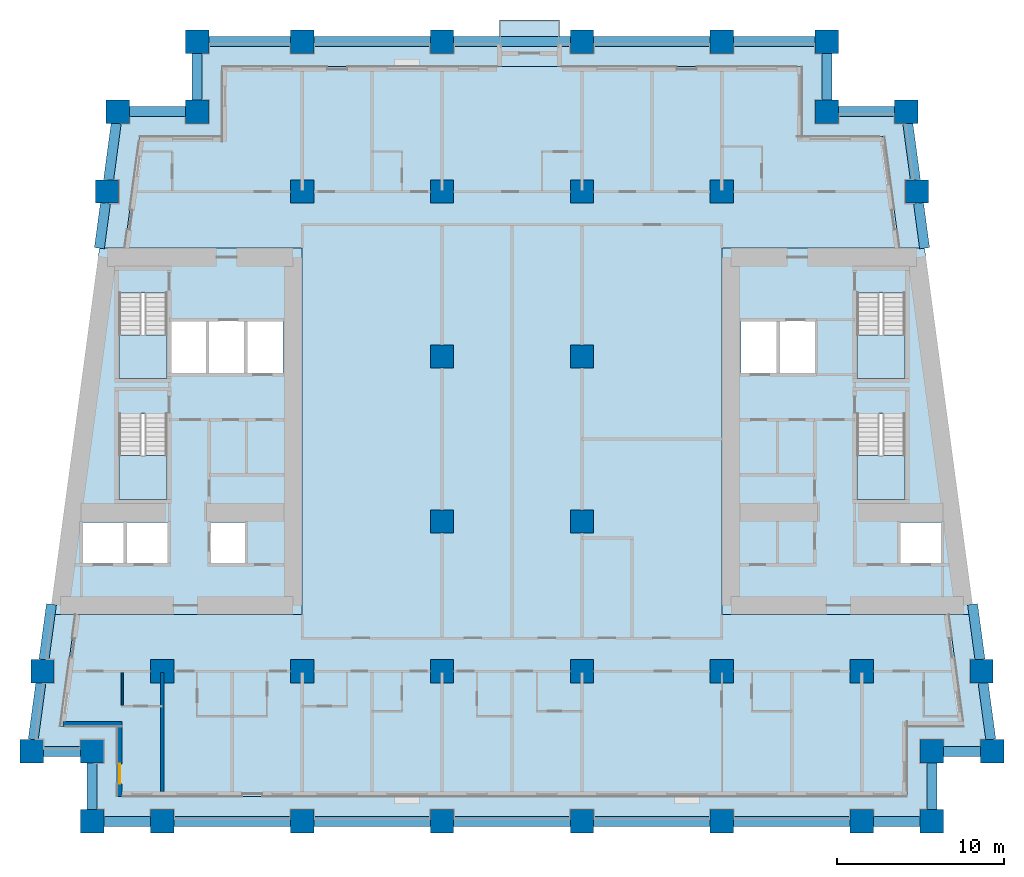
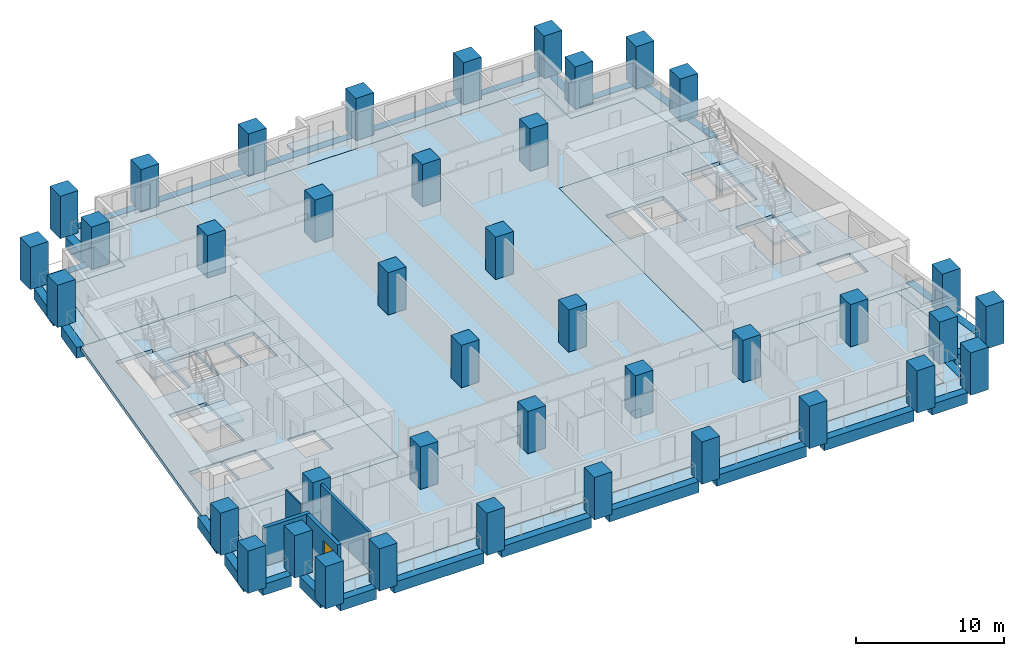
# One storey, part 1 of 13: 40 columns, 28 beams, 10 slabs, 4 walls, 1 door, 1 opening, 4 elements without a shape of their own.
"""IFC4 building model written with IfcOpenShell, lengths in metres."""

from ifc_helpers import new_model, si_unit, direction, frame, frame_2d, origin, origin_2d, place, context, subcontext, project, spatial, polyline, rectangle, outline, extrude, material, layer, layer_set, material_profile, profile_set, type_object, element, fill, aggregate, save


model = new_model("IFC4")

# Units and contexts
model_context = context("Model", 3, precision=1e-05, world=origin(), true_north=direction((0.0, 1.0)))
body_context = subcontext(model_context, "Body", "Model", "MODEL_VIEW")
ifc_project = project(units=[si_unit("LENGTHUNIT", "METRE"), si_unit("AREAUNIT", "SQUARE_METRE"), si_unit("VOLUMEUNIT", "CUBIC_METRE"), si_unit("PLANEANGLEUNIT", "RADIAN"), si_unit("MASSUNIT", "GRAM", prefix="KILO")], contexts=[model_context])

# Site, building, storey
site_placement = place(None, origin())
site = spatial("IfcSite", under=ifc_project, at=site_placement, CompositionType="ELEMENT")
building_placement = place(site_placement, origin())
building = spatial("IfcBuilding", under=site, at=building_placement, Name="Candeia Pilgrim Tower and Theatre", CompositionType="ELEMENT")
storey_placement = place(building_placement, frame((0.0, 0.0, 70.5)))
storey = spatial("IfcBuildingStorey", under=building, at=storey_placement, Name="L15", CompositionType="ELEMENT", Elevation=70.5)

# Columns
ifc_material_1 = material(Name="Concrete C80/95", Category="concrete")
ifc_material_profile_1 = material_profile(ifc_material_1, rectangle(XDim=1.39990234375, YDim=1.39990234375, at=origin_2d()))
ifc_profile_set_1 = profile_set([ifc_material_profile_1], Name="Concrete C80/95")
column_type = type_object("IfcColumnType", Name="RC 1400x1400 C80/95", PredefinedType="COLUMN", material=ifc_profile_set_1)
for number, where, z_axis, x_axis, name in (
    (1, (92.39990234375, 98.0, 0.0), (0.0, 0.0, 1.0), (1.0, 0.0, 0.0), "Column A1"),
    (2, (100.800048828125, 98.0, 0.0), (0.0, 0.0, 1.0), (1.0, 0.0, 0.0), "Column A2"),
    (3, (109.199951171875, 98.0, 0.0), (0.0, 0.0, 1.0), (1.0, 0.0, 0.0), "Column A3"),
    (4, (117.60009765625, 98.0, 0.0), (0.0, 0.0, 1.0), (1.0, 0.0, 0.0), "Column A4"),
    (5, (126.0, 98.0, 0.0), (0.0, 0.0, 1.0), (1.0, 0.0, 0.0), "Column A5"),
    (6, (134.39990234375, 98.0, 0.0), (0.0, 0.0, 1.0), (1.0, 0.0, 0.0), "Column A6"),
    (7, (88.199951171875, 98.0, 0.0), (0.0, 0.0, 1.0), (1.0, 0.0, 0.0), "Column AW"),
    (8, (138.60009765625, 98.0, 0.0), (0.0, 0.0, 1.0), (1.0, 0.0, 0.0), "Column AE"),
    (9, (88.199951171875, 102.199951171875, 0.0), (0.0, 0.0, 1.0), (1.0, 0.0, 0.0), "Column NSW"),
    (10, (138.60009765625, 102.199951171875, 0.0), (0.0, 0.0, 1.0), (1.0, 0.0, 0.0), "Column NSE"),
    (11, (94.5, 140.60009765625, 0.0), (0.0, 0.0, 1.0), (1.0, 0.0, 0.0), "Column NNW"),
    (12, (132.300048828125, 140.60009765625, 0.0), (0.0, 0.0, 1.0), (1.0, 0.0, 0.0), "Column NNE"),
    (13, (84.5654296875, 102.199951171875, 0.0), (0.0, 0.0, 1.0), (1.0, 0.0, 0.0), "Column LSW"),
    (14, (142.234619140625, 102.199951171875, 0.0), (0.0, 0.0, 1.0), (1.0, 0.0, 0.0), "Column LSE"),
    (15, (89.734619140625, 140.60009765625, 0.0), (0.0, 0.0, 1.0), (1.0, 0.0, 0.0), "Column LNW"),
    (16, (137.0654296875, 140.60009765625, 0.0), (0.0, 0.0, 1.0), (1.0, 0.0, 0.0), "Column LNE"),
    (17, (92.39990234375, 107.0, 0.0), (0.0, 0.0, 1.0), (1.0, 0.0, 0.0), "Column B1"),
    (18, (100.800048828125, 107.0, 0.0), (0.0, 0.0, 1.0), (1.0, 0.0, 0.0), "Column B2"),
    (19, (109.199951171875, 107.0, 0.0), (0.0, 0.0, 1.0), (1.0, 0.0, 0.0), "Column B3"),
    (20, (117.60009765625, 107.0, 0.0), (0.0, 0.0, 1.0), (1.0, 0.0, 0.0), "Column B4"),
    (21, (126.0, 107.0, 0.0), (0.0, 0.0, 1.0), (1.0, 0.0, 0.0), "Column B5"),
    (22, (134.39990234375, 107.0, 0.0), (0.0, 0.0, 1.0), (1.0, 0.0, 0.0), "Column B6"),
    (23, (85.21142578125, 107.0, 0.0), (0.0, 0.0, 1.0), (1.0, 0.0, 0.0), "Column BW"),
    (24, (141.58837890625, 107.0, 0.0), (0.0, 0.0, 1.0), (1.0, 0.0, 0.0), "Column BE"),
    (25, (109.199951171875, 116.0, 0.0), (0.0, 0.0, 1.0), (1.0, 0.0, 0.0), "Column C3"),
    (26, (117.60009765625, 116.0, 0.0), (0.0, 0.0, 1.0), (1.0, 0.0, 0.0), "Column C4"),
    (27, (109.199951171875, 125.89990234375, 0.0), (0.0, 0.0, 1.0), (1.0, 0.0, 0.0), "Column D3"),
    (28, (117.60009765625, 125.89990234375, 0.0), (0.0, 0.0, 1.0), (1.0, 0.0, 0.0), "Column D4"),
    (29, (100.800048828125, 135.800048828125, 0.0), (0.0, 0.0, 1.0), (1.0, 0.0, 0.0), "Column E2"),
    (30, (109.199951171875, 135.800048828125, 0.0), (0.0, 0.0, 1.0), (1.0, 0.0, 0.0), "Column E3"),
    (31, (117.60009765625, 135.800048828125, 0.0), (0.0, 0.0, 1.0), (1.0, 0.0, 0.0), "Column E4"),
    (32, (126.0, 135.800048828125, 0.0), (0.0, 0.0, 1.0), (1.0, 0.0, 0.0), "Column E5"),
    (33, (89.08837890625, 135.800048828125, 0.0), (0.0, 0.0, 1.0), (1.0, 0.0, 0.0), "Column EW"),
    (34, (137.71142578125, 135.800048828125, 0.0), (0.0, 0.0, 1.0), (1.0, 0.0, 0.0), "Column EE"),
    (35, (100.800048828125, 144.800048828125, 0.0), (0.0, 0.0, 1.0), (1.0, 0.0, 0.0), "Column F2"),
    (36, (109.199951171875, 144.800048828125, 0.0), (0.0, 0.0, 1.0), (1.0, 0.0, 0.0), "Column F3"),
    (37, (117.60009765625, 144.800048828125, 0.0), (0.0, 0.0, 1.0), (1.0, 0.0, 0.0), "Column F4"),
    (38, (126.0, 144.800048828125, 0.0), (0.0, 0.0, 1.0), (1.0, 0.0, 0.0), "Column F5"),
    (39, (94.5, 144.800048828125, 0.0), (0.0, 0.0, 1.0), (1.0, 0.0, 0.0), "Column FW"),
    (40, (132.300048828125, 144.800048828125, 0.0), (0.0, 0.0, 1.0), (1.0, 0.0, 0.0), "Column FE"),
):
    element("IfcColumn", number, at=place(storey_placement, frame(where, z_axis=z_axis, x_axis=x_axis)), inside=storey, type_object=column_type, Name=name, PredefinedType="COLUMN", context=body_context, shape_type="SweptSolid", body=[
        extrude(rectangle(XDim=1.39990234375, YDim=1.39990234375, at=origin_2d()), origin(), (0.0, 0.0, 1.0), 3.5),
    ])

# Beams
ifc_material_profile_2 = material_profile(ifc_material_1, rectangle(XDim=0.60009765625, YDim=0.89990234375, at=origin_2d()))
ifc_profile_set_2 = profile_set([ifc_material_profile_2], Name="Concrete C80/95")
beam_type = type_object("IfcBeamType", Name="RC 600x900 C80/95", PredefinedType="BEAM", material=ifc_profile_set_2)
beam_1_placement = place(storey_placement, frame((88.89990234375, 98.0, -0.449951171875), z_axis=(1.0, 0.0, 0.0), x_axis=(0.0, 1.0, 0.0)))
element("IfcBeam", 41, at=beam_1_placement, inside=storey, type_object=beam_type, Name="Spandrel beam L15-01", PredefinedType="BEAM", context=body_context, shape_type="SweptSolid", body=[
    extrude(rectangle(XDim=0.60009765625, YDim=0.89990234375, at=origin_2d()), origin(), (0.0, 0.0, 1.0), 2.800048828125),
])
for number, where, z_axis, x_axis, name in (
    (42, (93.10009765625, 98.0, -0.449951171875), (1.0, 0.0, 0.0), (0.0, 1.0, 0.0), "Spandrel beam L15-02"),
    (43, (101.5, 98.0, -0.449951171875), (1.0, 0.0, 0.0), (0.0, 1.0, 0.0), "Spandrel beam L15-03"),
    (44, (109.89990234375, 98.0, -0.449951171875), (1.0, 0.0, 0.0), (0.0, 1.0, 0.0), "Spandrel beam L15-04"),
    (45, (118.300048828125, 98.0, -0.449951171875), (1.0, 0.0, 0.0), (0.0, 1.0, 0.0), "Spandrel beam L15-05"),
    (46, (126.699951171875, 98.0, -0.449951171875), (1.0, 0.0, 0.0), (0.0, 1.0, 0.0), "Spandrel beam L15-06"),
):
    element("IfcBeam", number, at=place(storey_placement, frame(where, z_axis=z_axis, x_axis=x_axis)), inside=storey, type_object=beam_type, Name=name, PredefinedType="BEAM", context=body_context, shape_type="SweptSolid", body=[
        extrude(rectangle(XDim=0.60009765625, YDim=0.89990234375, at=origin_2d()), origin(), (0.0, 0.0, 1.0), 7.0),
    ])
beam_2_placement = place(storey_placement, frame((135.10009765625, 98.0, -0.449951171875), z_axis=(1.0, 0.0, 0.0), x_axis=(0.0, 1.0, 0.0)))
element("IfcBeam", 47, at=beam_2_placement, inside=storey, type_object=beam_type, Name="Spandrel beam L15-07", PredefinedType="BEAM", context=body_context, shape_type="SweptSolid", body=[
    extrude(rectangle(XDim=0.60009765625, YDim=0.89990234375, at=origin_2d()), origin(), (0.0, 0.0, 1.0), 2.7998046875),
])
beam_3_placement = place(storey_placement, frame((138.60009765625, 98.699951171875, -0.449951171875), z_axis=(0.0, 1.0, 0.0), x_axis=(-1.0, 0.0, 0.0)))
element("IfcBeam", 48, at=beam_3_placement, inside=storey, type_object=beam_type, Name="Spandrel beam L15-08", PredefinedType="BEAM", context=body_context, shape_type="SweptSolid", body=[
    extrude(rectangle(XDim=0.60009765625, YDim=0.89990234375, at=origin_2d()), origin(), (0.0, 0.0, 1.0), 2.800048828125),
])
beam_4_placement = place(storey_placement, frame((139.300048828125, 102.199951171875, -0.449951171875), z_axis=(1.0, 0.0, 0.0), x_axis=(0.0, 1.0, 0.0)))
element("IfcBeam", 49, at=beam_4_placement, inside=storey, type_object=beam_type, Name="Spandrel beam L15-09", PredefinedType="BEAM", context=body_context, shape_type="SweptSolid", body=[
    extrude(rectangle(XDim=0.60009765625, YDim=0.89990234375, at=origin_2d()), origin(), (0.0, 0.0, 1.0), 2.234619140625),
])
beam_5_placement = place(storey_placement, frame((142.140380859375, 102.89990234375, -0.449951171875), z_axis=(-0.133426797477, 0.991058671177, 0.0), x_axis=(-0.991058671177, -0.133426797477, 0.0)))
element("IfcBeam", 50, at=beam_5_placement, inside=storey, type_object=beam_type, Name="Spandrel beam L15-10", PredefinedType="BEAM", context=body_context, shape_type="SweptSolid", body=[
    extrude(rectangle(XDim=0.60009765625, YDim=0.89990234375, at=origin_2d()), origin(), (0.0, 0.0, 1.0), 3.430908203125),
])
beam_6_placement = place(storey_placement, frame((141.494140625, 107.699951171875, -0.449951171875), z_axis=(-0.13337488337, 0.991065659019, 0.0), x_axis=(-0.991065659019, -0.13337488337, 0.0)))
element("IfcBeam", 51, at=beam_6_placement, inside=storey, type_object=beam_type, Name="Spandrel beam L15-11", PredefinedType="BEAM", context=body_context, shape_type="SweptSolid", body=[
    extrude(rectangle(XDim=0.60009765625, YDim=0.89990234375, at=origin_2d()), origin(), (0.0, 0.0, 1.0), 3.353515625),
])
beam_7_placement = place(storey_placement, frame((138.169189453125, 132.39990234375, -0.449951171875), z_axis=(-0.133425552527, 0.991058838784, 0.0), x_axis=(-0.991058838784, -0.133425552527, 0.0)))
element("IfcBeam", 52, at=beam_7_placement, inside=storey, type_object=beam_type, Name="Spandrel beam L15-12", PredefinedType="BEAM", context=body_context, shape_type="SweptSolid", body=[
    extrude(rectangle(XDim=0.60009765625, YDim=0.89990234375, at=origin_2d()), origin(), (0.0, 0.0, 1.0), 2.724609375),
])
beam_8_placement = place(storey_placement, frame((137.6171875, 136.5, -0.449951171875), z_axis=(-0.13336630817, 0.991066813008, 0.0), x_axis=(-0.991066813008, -0.13336630817, 0.0)))
element("IfcBeam", 53, at=beam_8_placement, inside=storey, type_object=beam_type, Name="Spandrel beam L15-13", PredefinedType="BEAM", context=body_context, shape_type="SweptSolid", body=[
    extrude(rectangle(XDim=0.60009765625, YDim=0.89990234375, at=origin_2d()), origin(), (0.0, 0.0, 1.0), 3.4306640625),
])
beam_9_placement = place(storey_placement, frame((136.365478515625, 140.60009765625, -0.449951171875), z_axis=(-1.0, 0.0, 0.0), x_axis=(0.0, -1.0, 0.0)))
element("IfcBeam", 54, at=beam_9_placement, inside=storey, type_object=beam_type, Name="Spandrel beam L15-14", PredefinedType="BEAM", context=body_context, shape_type="SweptSolid", body=[
    extrude(rectangle(XDim=0.60009765625, YDim=0.89990234375, at=origin_2d()), origin(), (0.0, 0.0, 1.0), 3.365478515625),
])
beam_10_placement = place(storey_placement, frame((132.300048828125, 141.300048828125, -0.449951171875), z_axis=(0.0, 1.0, 0.0), x_axis=(-1.0, 0.0, 0.0)))
element("IfcBeam", 55, at=beam_10_placement, inside=storey, type_object=beam_type, Name="Spandrel beam L15-15", PredefinedType="BEAM", context=body_context, shape_type="SweptSolid", body=[
    extrude(rectangle(XDim=0.60009765625, YDim=0.89990234375, at=origin_2d()), origin(), (0.0, 0.0, 1.0), 2.800048828125),
])
beam_11_placement = place(storey_placement, frame((131.60009765625, 144.800048828125, -0.449951171875), z_axis=(-1.0, 0.0, 0.0), x_axis=(0.0, -1.0, 0.0)))
element("IfcBeam", 56, at=beam_11_placement, inside=storey, type_object=beam_type, Name="Spandrel beam L15-16", PredefinedType="BEAM", context=body_context, shape_type="SweptSolid", body=[
    extrude(rectangle(XDim=0.60009765625, YDim=0.89990234375, at=origin_2d()), origin(), (0.0, 0.0, 1.0), 4.900146484375),
])
for number, where, z_axis, x_axis, name in (
    (57, (125.300048828125, 144.800048828125, -0.449951171875), (-1.0, 0.0, 0.0), (0.0, -1.0, 0.0), "Spandrel beam L15-17"),
    (58, (116.89990234375, 144.800048828125, -0.449951171875), (-1.0, 0.0, 0.0), (0.0, -1.0, 0.0), "Spandrel beam L15-18"),
    (59, (108.5, 144.800048828125, -0.449951171875), (-1.0, 0.0, 0.0), (0.0, -1.0, 0.0), "Spandrel beam L15-19"),
):
    element("IfcBeam", number, at=place(storey_placement, frame(where, z_axis=z_axis, x_axis=x_axis)), inside=storey, type_object=beam_type, Name=name, PredefinedType="BEAM", context=body_context, shape_type="SweptSolid", body=[
        extrude(rectangle(XDim=0.60009765625, YDim=0.89990234375, at=origin_2d()), origin(), (0.0, 0.0, 1.0), 7.0),
    ])
beam_12_placement = place(storey_placement, frame((100.10009765625, 144.800048828125, -0.449951171875), z_axis=(-1.0, 0.0, 0.0), x_axis=(0.0, -1.0, 0.0)))
element("IfcBeam", 60, at=beam_12_placement, inside=storey, type_object=beam_type, Name="Spandrel beam L15-20", PredefinedType="BEAM", context=body_context, shape_type="SweptSolid", body=[
    extrude(rectangle(XDim=0.60009765625, YDim=0.89990234375, at=origin_2d()), origin(), (0.0, 0.0, 1.0), 4.900146484375),
])
beam_13_placement = place(storey_placement, frame((94.5, 144.10009765625, -0.449951171875), z_axis=(0.0, -1.0, 0.0), x_axis=(1.0, 0.0, 0.0)))
element("IfcBeam", 61, at=beam_13_placement, inside=storey, type_object=beam_type, Name="Spandrel beam L15-21", PredefinedType="BEAM", context=body_context, shape_type="SweptSolid", body=[
    extrude(rectangle(XDim=0.60009765625, YDim=0.89990234375, at=origin_2d()), origin(), (0.0, 0.0, 1.0), 2.800048828125),
])
beam_14_placement = place(storey_placement, frame((93.800048828125, 140.60009765625, -0.449951171875), z_axis=(-1.0, 0.0, 0.0), x_axis=(0.0, -1.0, 0.0)))
element("IfcBeam", 62, at=beam_14_placement, inside=storey, type_object=beam_type, Name="Spandrel beam L15-22", PredefinedType="BEAM", context=body_context, shape_type="SweptSolid", body=[
    extrude(rectangle(XDim=0.60009765625, YDim=0.89990234375, at=origin_2d()), origin(), (0.0, 0.0, 1.0), 3.365478515625),
])
beam_15_placement = place(storey_placement, frame((89.640380859375, 139.89990234375, -0.449951171875), z_axis=(-0.133436208017, -0.991057404185, 0.0), x_axis=(0.991057404185, -0.133436208017, 0.0)))
element("IfcBeam", 63, at=beam_15_placement, inside=storey, type_object=beam_type, Name="Spandrel beam L15-23", PredefinedType="BEAM", context=body_context, shape_type="SweptSolid", body=[
    extrude(rectangle(XDim=0.60009765625, YDim=0.89990234375, at=origin_2d()), origin(), (0.0, 0.0, 1.0), 3.4306640625),
])
beam_16_placement = place(storey_placement, frame((88.994140625, 135.10009765625, -0.449951171875), z_axis=(-0.133337538686, -0.991070684047, 0.0), x_axis=(0.991070684047, -0.133337538686, 0.0)))
element("IfcBeam", 64, at=beam_16_placement, inside=storey, type_object=beam_type, Name="Spandrel beam L15-24", PredefinedType="BEAM", context=body_context, shape_type="SweptSolid", body=[
    extrude(rectangle(XDim=0.60009765625, YDim=0.89990234375, at=origin_2d()), origin(), (0.0, 0.0, 1.0), 2.724609375),
])
beam_17_placement = place(storey_placement, frame((85.753173828125, 111.0234375, -0.449951171875), z_axis=(-0.133446390132, -0.991056033209, 0.0), x_axis=(0.991056033209, -0.133446390132, 0.0)))
element("IfcBeam", 65, at=beam_17_placement, inside=storey, type_object=beam_type, Name="Spandrel beam L15-25", PredefinedType="BEAM", context=body_context, shape_type="SweptSolid", body=[
    extrude(rectangle(XDim=0.60009765625, YDim=0.89990234375, at=origin_2d()), origin(), (0.0, 0.0, 1.0), 3.353515625),
])
beam_18_placement = place(storey_placement, frame((85.1171875, 106.300048828125, -0.449951171875), z_axis=(-0.133356902381, -0.991068078685, 0.0), x_axis=(0.991068078685, -0.133356902381, 0.0)))
element("IfcBeam", 66, at=beam_18_placement, inside=storey, type_object=beam_type, Name="Spandrel beam L15-26", PredefinedType="BEAM", context=body_context, shape_type="SweptSolid", body=[
    extrude(rectangle(XDim=0.60009765625, YDim=0.89990234375, at=origin_2d()), origin(), (0.0, 0.0, 1.0), 3.430908203125),
])
beam_19_placement = place(storey_placement, frame((85.265380859375, 102.199951171875, -0.449951171875), z_axis=(1.0, 0.0, 0.0), x_axis=(0.0, 1.0, 0.0)))
element("IfcBeam", 67, at=beam_19_placement, inside=storey, type_object=beam_type, Name="Spandrel beam L15-27", PredefinedType="BEAM", context=body_context, shape_type="SweptSolid", body=[
    extrude(rectangle(XDim=0.60009765625, YDim=0.89990234375, at=origin_2d()), origin(), (0.0, 0.0, 1.0), 2.234619140625),
])
beam_20_placement = place(storey_placement, frame((88.199951171875, 101.5, -0.449951171875), z_axis=(0.0, -1.0, 0.0), x_axis=(1.0, 0.0, 0.0)))
element("IfcBeam", 68, at=beam_20_placement, inside=storey, type_object=beam_type, Name="Spandrel beam L15-28", PredefinedType="BEAM", context=body_context, shape_type="SweptSolid", body=[
    extrude(rectangle(XDim=0.60009765625, YDim=0.89990234375, at=origin_2d()), origin(), (0.0, 0.0, 1.0), 2.800048828125),
])

# Slabs
ifc_material_2 = material(Name="Concrete C40/50", Category="concrete")
ifc_layer_1 = layer(ifc_material_2, 0.25)
ifc_layer_set_1 = layer_set([ifc_layer_1], Name="BK1 balcony slab 250")
slab_type_1 = type_object("IfcSlabType", Name="BK1 balcony slab 250", PredefinedType="USERDEFINED", material=ifc_layer_set_1)
slab_1_placement = place(storey_placement, frame((0.0, 0.0, -0.25)))
element("IfcSlab", 69, at=slab_1_placement, inside=storey, type_object=slab_type_1, Name="Balcony L15", ObjectType="BALCONY", PredefinedType="USERDEFINED", context=body_context, shape_type="SweptSolid", body=[
    extrude(outline(polyline([(112.64990234375, 144.5), (116.25, 144.5), (116.25, 146.10009765625), (112.64990234375, 146.10009765625), (112.64990234375, 144.5)])), origin(), (0.0, 0.0, 1.0), 0.25),
])
ifc_material_3 = material(Name="Concrete C60/75", Category="concrete")
ifc_layer_2 = layer(ifc_material_3, 0.320068359375)
ifc_layer_set_2 = layer_set([ifc_layer_2], Name="FS-CORE 320 core floor")
slab_type_2 = type_object("IfcSlabType", Name="FS-CORE 320 core floor", PredefinedType="FLOOR", material=ifc_layer_set_2)
slab_2_placement = place(storey_placement, frame((0.0, 0.0, -0.320068359375)))
element("IfcSlab", 70, at=slab_2_placement, inside=storey, type_object=slab_type_2, Name="Core floor W L15", PredefinedType="FLOOR", context=body_context, shape_type="SweptSolid", body=[
    extrude(outline(polyline([(100.800048828125, 132.39990234375), (100.800048828125, 110.39990234375), (85.669189453125, 110.39990234375), (88.630859375, 132.39990234375), (100.800048828125, 132.39990234375)]), holes=[polyline([(97.458984375, 128.050048828125), (97.458984375, 124.85009765625), (99.64990234375, 124.85009765625), (99.64990234375, 128.050048828125), (97.458984375, 128.050048828125)]), polyline([(95.277099609375, 115.949951171875), (95.277099609375, 113.449951171875), (97.41357421875, 113.449951171875), (97.41357421875, 115.949951171875), (95.277099609375, 115.949951171875)]), polyline([(95.16796875, 128.050048828125), (95.16796875, 124.85009765625), (97.35888671875, 124.85009765625), (97.35888671875, 128.050048828125), (95.16796875, 128.050048828125)]), polyline([(92.876953125, 128.050048828125), (92.876953125, 124.85009765625), (95.068115234375, 124.85009765625), (95.068115234375, 128.050048828125), (92.876953125, 128.050048828125)]), polyline([(90.228515625, 115.949951171875), (90.228515625, 113.449951171875), (92.777099609375, 113.449951171875), (92.777099609375, 115.949951171875), (90.228515625, 115.949951171875)]), polyline([(89.802001953125, 122.455078125), (89.802001953125, 117.324951171875), (92.701904296875, 117.324951171875), (92.701904296875, 122.455078125), (89.802001953125, 122.455078125)]), polyline([(89.802001953125, 129.705078125), (89.802001953125, 124.574951171875), (92.701904296875, 124.574951171875), (92.701904296875, 129.705078125), (89.802001953125, 129.705078125)]), polyline([(87.580078125, 115.949951171875), (87.580078125, 113.449951171875), (90.12841796875, 113.449951171875), (90.12841796875, 115.949951171875), (87.580078125, 115.949951171875)])]), origin(), (0.0, 0.0, 1.0), 0.320068359375),
])
slab_3_placement = place(storey_placement, frame((0.0, 0.0, -0.320068359375)))
element("IfcSlab", 71, at=slab_3_placement, inside=storey, type_object=slab_type_2, Name="Core floor E L15", PredefinedType="FLOOR", context=body_context, shape_type="SweptSolid", body=[
    extrude(outline(polyline([(138.169189453125, 132.39990234375), (141.130859375, 110.39990234375), (126.0, 110.39990234375), (126.0, 132.39990234375), (138.169189453125, 132.39990234375)]), holes=[polyline([(136.67138671875, 115.949951171875), (136.67138671875, 113.449951171875), (139.219970703125, 113.449951171875), (139.219970703125, 115.949951171875), (136.67138671875, 115.949951171875)]), polyline([(134.097900390625, 117.324951171875), (136.998046875, 117.324951171875), (136.998046875, 122.455078125), (134.097900390625, 122.455078125), (134.097900390625, 117.324951171875)]), polyline([(134.097900390625, 129.705078125), (134.097900390625, 124.574951171875), (136.998046875, 124.574951171875), (136.998046875, 129.705078125), (134.097900390625, 129.705078125)]), polyline([(131.632080078125, 128.050048828125), (129.44091796875, 128.050048828125), (129.44091796875, 124.85009765625), (131.632080078125, 124.85009765625), (131.632080078125, 128.050048828125)]), polyline([(127.14990234375, 128.050048828125), (127.14990234375, 124.85009765625), (129.341064453125, 124.85009765625), (129.341064453125, 128.050048828125), (127.14990234375, 128.050048828125)])]), origin(), (0.0, 0.0, 1.0), 0.320068359375),
])
ifc_material_4 = material(Name="Concrete C50/60", Category="concrete")
ifc_layer_3 = layer(ifc_material_4, 0.320068359375)
ifc_layer_set_3 = layer_set([ifc_layer_3], Name="Floor slab 320 C50/60")
slab_type_3 = type_object("IfcSlabType", Name="Floor slab 320 C50/60", PredefinedType="FLOOR", material=ifc_layer_set_3)
slab_4_placement = place(storey_placement, frame((0.0, 0.0, -0.320068359375)))
element("IfcSlab", 72, at=slab_4_placement, inside=storey, type_object=slab_type_3, Name="Floor slab L15", PredefinedType="FLOOR", context=body_context, shape_type="SweptSolid", body=[
    extrude(outline(polyline([(96.0, 139.10009765625), (96.0, 143.300048828125), (130.800048828125, 143.300048828125), (130.800048828125, 139.10009765625), (135.753662109375, 139.10009765625), (136.65576171875, 132.39990234375), (126.0, 132.39990234375), (126.0, 110.39990234375), (139.6171875, 110.39990234375), (140.51904296875, 103.699951171875), (137.10009765625, 103.699951171875), (137.10009765625, 99.5), (89.699951171875, 99.5), (89.699951171875, 103.699951171875), (86.28076171875, 103.699951171875), (87.182861328125, 110.39990234375), (100.800048828125, 110.39990234375), (100.800048828125, 132.39990234375), (90.144287109375, 132.39990234375), (91.046142578125, 139.10009765625), (96.0, 139.10009765625)])), origin(), (0.0, 0.0, 1.0), 0.320068359375),
])
ifc_layer_4 = layer(ifc_material_2, 0.25)
ifc_layer_set_4 = layer_set([ifc_layer_4], Name="Loggia slab 250 C40/50")
slab_type_4 = type_object("IfcSlabType", Name="Loggia slab 250 C40/50", PredefinedType="FLOOR", material=ifc_layer_set_4)
slab_5_placement = place(storey_placement, frame((0.0, 0.0, -0.25)))
element("IfcSlab", 73, at=slab_5_placement, inside=storey, type_object=slab_type_4, Name="Loggia slab L15 1", PredefinedType="FLOOR", context=body_context, shape_type="SweptSolid", body=[
    extrude(outline(polyline([(87.182861328125, 110.39990234375), (86.28076171875, 103.699951171875), (89.699951171875, 103.699951171875), (89.699951171875, 99.5), (137.10009765625, 99.5), (137.10009765625, 103.699951171875), (140.51904296875, 103.699951171875), (139.6171875, 110.39990234375), (140.828125, 110.39990234375), (141.8916015625, 102.5), (138.300048828125, 102.5), (138.300048828125, 98.300048828125), (88.5, 98.300048828125), (88.5, 102.5), (84.908447265625, 102.5), (85.971923828125, 110.39990234375), (87.182861328125, 110.39990234375)])), origin(), (0.0, 0.0, 1.0), 0.25),
])
slab_6_placement = place(storey_placement, frame((0.0, 0.0, -0.25)))
element("IfcSlab", 74, at=slab_6_placement, inside=storey, type_object=slab_type_4, Name="Loggia slab L15 2", PredefinedType="FLOOR", context=body_context, shape_type="SweptSolid", body=[
    extrude(outline(polyline([(136.65576171875, 132.39990234375), (135.753662109375, 139.10009765625), (130.800048828125, 139.10009765625), (130.800048828125, 143.300048828125), (96.0, 143.300048828125), (96.0, 139.10009765625), (91.046142578125, 139.10009765625), (90.144287109375, 132.39990234375), (88.93359375, 132.39990234375), (89.996826171875, 140.300048828125), (94.800048828125, 140.300048828125), (94.800048828125, 144.5), (132.0, 144.5), (132.0, 140.300048828125), (136.802978515625, 140.300048828125), (137.866455078125, 132.39990234375), (136.65576171875, 132.39990234375)])), origin(), (0.0, 0.0, 1.0), 0.25),
])

# Stair, slab
stair_type = type_object("IfcStairType", Name="ST-TWR dog-leg escape stair", PredefinedType="HALF_TURN_STAIR", material=ifc_material_2)
stair_1_placement = place(storey_placement, origin())
stair_1 = element("IfcStair", 75, at=stair_1_placement, inside=storey, type_object=stair_type, Name="L15 Escape stair ST1", PredefinedType="HALF_TURN_STAIR")
ifc_layer_5 = layer(ifc_material_2, 0.199951171875)
ifc_layer_set_5 = layer_set([ifc_layer_5], Name="SL-LANDING stair landing")
slab_type_5 = type_object("IfcSlabType", Name="SL-LANDING stair landing", PredefinedType="LANDING", material=ifc_layer_set_5)
slab_7_placement = place(storey_placement, frame((0.0, 0.0, 1.550048828125)))
slab_7 = element("IfcSlab", 76, at=slab_7_placement, type_object=slab_type_5, Name="ST1 landing 1", PredefinedType="LANDING", context=body_context, shape_type="SweptSolid", body=[
    extrude(outline(polyline([(89.802001953125, 119.955078125), (89.802001953125, 117.324951171875), (92.701904296875, 117.324951171875), (92.701904296875, 119.955078125), (89.802001953125, 119.955078125)])), origin(), (0.0, 0.0, 1.0), 0.199951171875),
])
aggregate(stair_1, [slab_7])

stair_2_placement = place(storey_placement, origin())
stair_2 = element("IfcStair", 77, at=stair_2_placement, inside=storey, type_object=stair_type, Name="L15 Escape stair ST2", PredefinedType="HALF_TURN_STAIR")
slab_8_placement = place(storey_placement, frame((0.0, 0.0, 1.550048828125)))
slab_8 = element("IfcSlab", 78, at=slab_8_placement, type_object=slab_type_5, Name="ST2 landing 1", PredefinedType="LANDING", context=body_context, shape_type="SweptSolid", body=[
    extrude(outline(polyline([(89.802001953125, 127.205078125), (89.802001953125, 124.574951171875), (92.701904296875, 124.574951171875), (92.701904296875, 127.205078125), (89.802001953125, 127.205078125)])), origin(), (0.0, 0.0, 1.0), 0.199951171875),
])
aggregate(stair_2, [slab_8])

stair_3_placement = place(storey_placement, origin())
stair_3 = element("IfcStair", 79, at=stair_3_placement, inside=storey, type_object=stair_type, Name="L15 Escape stair ST3", PredefinedType="HALF_TURN_STAIR")
slab_9_placement = place(storey_placement, frame((0.0, 0.0, 1.550048828125)))
slab_9 = element("IfcSlab", 80, at=slab_9_placement, type_object=slab_type_5, Name="ST3 landing 1", PredefinedType="LANDING", context=body_context, shape_type="SweptSolid", body=[
    extrude(outline(polyline([(134.097900390625, 119.955078125), (134.097900390625, 117.324951171875), (136.998046875, 117.324951171875), (136.998046875, 119.955078125), (134.097900390625, 119.955078125)])), origin(), (0.0, 0.0, 1.0), 0.199951171875),
])
aggregate(stair_3, [slab_9])

stair_4_placement = place(storey_placement, origin())
stair_4 = element("IfcStair", 81, at=stair_4_placement, inside=storey, type_object=stair_type, Name="L15 Escape stair ST4", PredefinedType="HALF_TURN_STAIR")
slab_10_placement = place(storey_placement, frame((0.0, 0.0, 1.550048828125)))
slab_10 = element("IfcSlab", 82, at=slab_10_placement, type_object=slab_type_5, Name="ST4 landing 1", PredefinedType="LANDING", context=body_context, shape_type="SweptSolid", body=[
    extrude(outline(polyline([(134.097900390625, 127.205078125), (134.097900390625, 124.574951171875), (136.998046875, 124.574951171875), (136.998046875, 127.205078125), (134.097900390625, 127.205078125)])), origin(), (0.0, 0.0, 1.0), 0.199951171875),
])
aggregate(stair_4, [slab_10])

# Wall
ifc_material_5 = material(Name="Ceramic block masonry", Category="masonry")
ifc_layer_6 = layer(ifc_material_5, 0.300048828125)
ifc_layer_set_6 = layer_set([ifc_layer_6], Name="EW1 glazing-line wall 300")
wall_type_1 = type_object("IfcWallType", Name="EW1 glazing-line wall 300", PredefinedType="SOLIDWALL", material=ifc_layer_set_6)
wall_1_placement = place(storey_placement, frame((86.452392578125, 103.85009765625, 0.0), z_axis=(0.0, 0.0, 1.0), x_axis=(1.0, 0.0, 0.0)))
element("IfcWall", 83, at=wall_1_placement, inside=storey, type_object=wall_type_1, Name="External wall L15-10.0", PredefinedType="SOLIDWALL", context=body_context, shape_type="SweptSolid", body=[
    extrude(rectangle(XDim=3.547607421875, YDim=0.300048828125, at=frame_2d((1.77392578125, 0.0))), origin(), (0.0, 0.0, 1.0), 3.179931640625),
])

# Wall, opening, door
wall_2_placement = place(storey_placement, frame((89.85009765625, 103.85009765625, 0.0), z_axis=(0.0, 0.0, 1.0), x_axis=(0.0, -1.0, 0.0)))
wall_2 = element("IfcWall", 84, at=wall_2_placement, inside=storey, type_object=wall_type_1, Name="External wall L15-11.0", PredefinedType="SOLIDWALL", context=body_context, shape_type="SweptSolid", body=[
    extrude(rectangle(XDim=4.35009765625, YDim=0.300048828125, at=frame_2d((2.175048828125, 0.0))), origin(), (0.0, 0.0, 1.0), 3.179931640625),
])
opening_placement = place(wall_2_placement, frame((2.39990234375, 0.0, 0.0)))
opening = element("IfcOpeningElement", 85, at=opening_placement, cuts=wall_2, Name="Opening L15-ED174", PredefinedType="OPENING", context=body_context, shape_type="SweptSolid", body=[
    extrude(rectangle(XDim=1.199951171875, YDim=2.39990234375, at=frame_2d((0.60009765625, 1.199951171875))), frame((0.0, 0.16015625, 0.0), z_axis=(0.0, -1.0, 0.0), x_axis=(1.0, 0.0, 0.0)), (0.0, 0.0, 1.0), 0.320068359375),
])
ifc_material_6 = material(Name="Aluminium framed glazed door", Category="aluminium")
door_type = type_object("IfcDoorType", Name="Loggia door 1200x2400", OperationType="DOUBLE_DOOR_SINGLE_SWING", PredefinedType="DOOR", material=ifc_material_6)
door_placement = place(opening_placement, origin())
door = element("IfcDoor", 86, at=door_placement, inside=storey, type_object=door_type, Name="Loggia door L15-ED174", OperationType="DOUBLE_DOOR_SINGLE_SWING", OverallHeight=2.39990234375, OverallWidth=1.199951171875, PredefinedType="DOOR", context=body_context, shape_type="SweptSolid", body=[
    extrude(rectangle(XDim=1.199951171875, YDim=2.39990234375, at=frame_2d((0.60009765625, 1.199951171875))), frame((0.0, 0.02490234375, 0.0), z_axis=(0.0, -1.0, 0.0), x_axis=(1.0, 0.0, 0.0)), (0.0, 0.0, 1.0), 0.050048828125),
])
fill(opening, door)

# Walls
ifc_material_7 = material(Name="Gypsum board partition on steel studs", Category="steel")
ifc_layer_7 = layer(ifc_material_7, 0.10009765625)
ifc_layer_set_7 = layer_set([ifc_layer_7], Name="PW-100 room partition")
wall_type_2 = type_object("IfcWallType", Name="PW-100 room partition", PredefinedType="PARTITIONING", material=ifc_layer_set_7)
wall_3_placement = place(storey_placement, frame((90.0, 104.949951171875, 0.0), z_axis=(0.0, 0.0, 1.0), x_axis=(0.0, 1.0, 0.0)))
element("IfcWall", 87, at=wall_3_placement, inside=storey, type_object=wall_type_2, Name="Room partition L15-047", PredefinedType="PARTITIONING", context=body_context, shape_type="SweptSolid", body=[
    extrude(rectangle(XDim=1.97509765625, YDim=0.10009765625, at=frame_2d((0.987548828125, 0.0))), origin(), (0.0, 0.0, 1.0), 3.179931640625),
])
ifc_layer_8 = layer(ifc_material_7, 0.199951171875)
ifc_layer_set_8 = layer_set([ifc_layer_8], Name="PW-200 party wall")
wall_type_3 = type_object("IfcWallType", Name="PW-200 party wall", PredefinedType="PARTITIONING", material=ifc_layer_set_8)
wall_4_placement = place(storey_placement, frame((92.39990234375, 99.7900390625, 0.0), z_axis=(0.0, 0.0, 1.0), x_axis=(0.0, 1.0, 0.0)))
element("IfcWall", 88, at=wall_4_placement, inside=storey, type_object=wall_type_3, Name="Party wall L15-049", PredefinedType="PARTITIONING", context=body_context, shape_type="SweptSolid", body=[
    extrude(rectangle(XDim=7.135009765625, YDim=0.199951171875, at=frame_2d((3.5673828125, 0.0))), origin(), (0.0, 0.0, 1.0), 3.179931640625),
])

save(model, "model.ifc")
